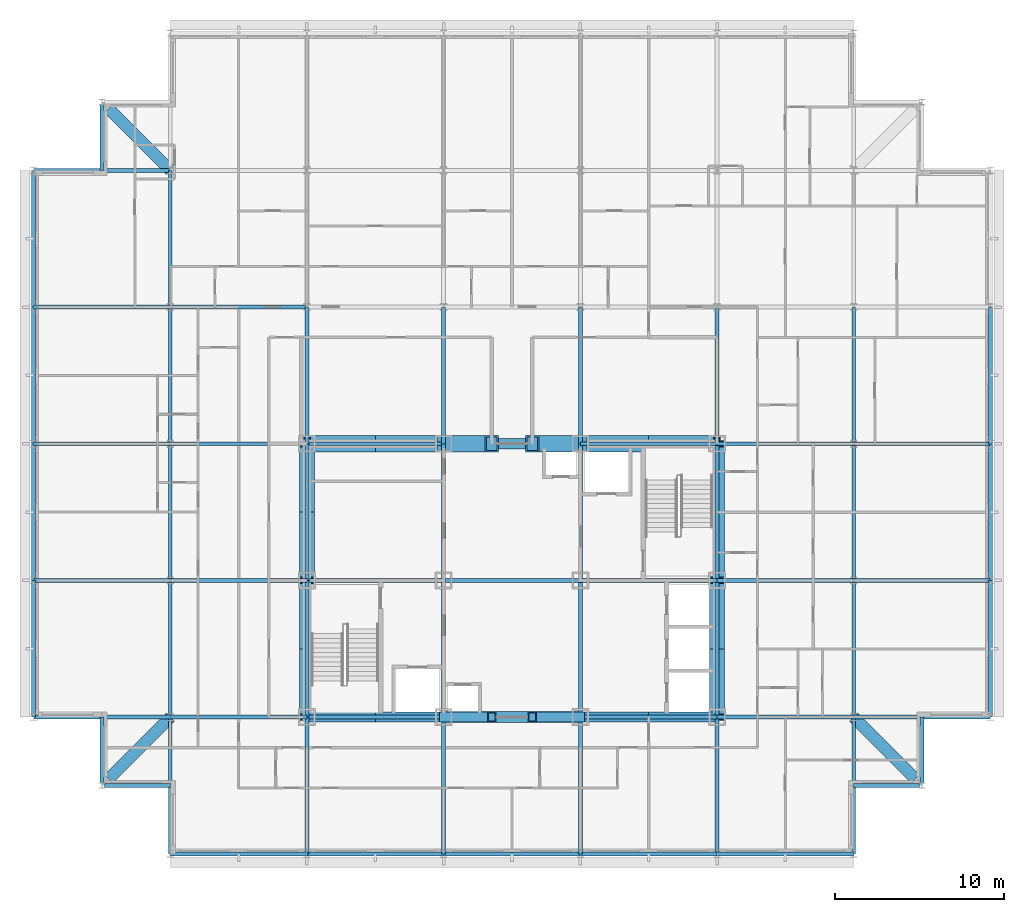
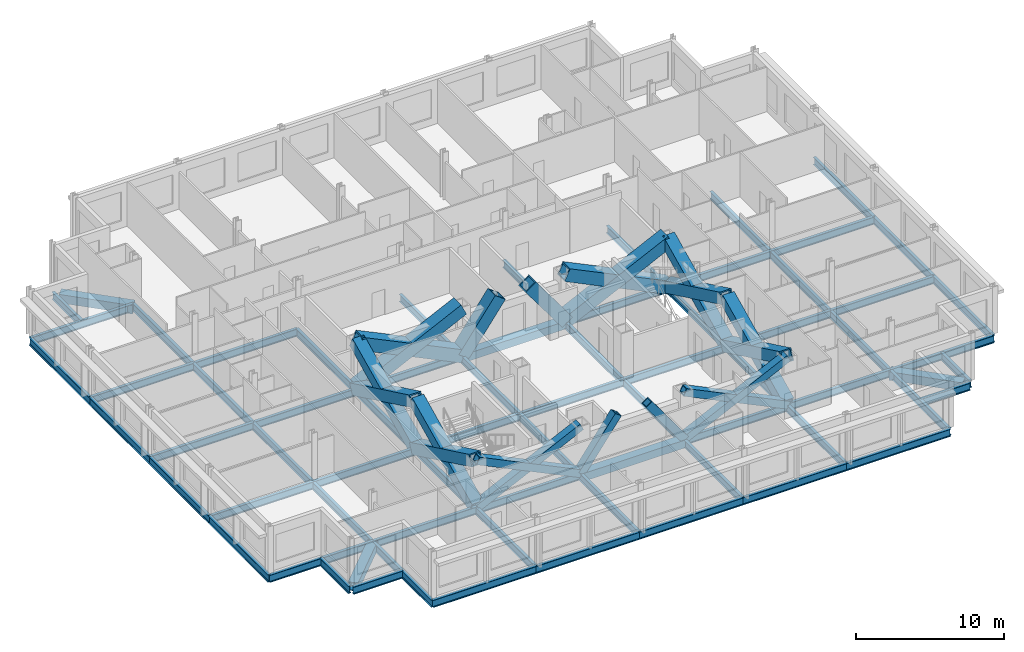
# One storey, part 5 of 15: 69 beams, 20 members.
"""IFC4 building model written with IfcOpenShell, lengths in metres."""

from ifc_helpers import new_model, si_unit, direction, frame, origin, origin_2d, place, context, subcontext, project, spatial, hollow_rectangle, i_section, extrude, material, material_profile, profile_set, type_object, element, save


model = new_model("IFC4")

# Units and contexts
model_context = context("Model", 3, precision=1e-05, world=origin(), true_north=direction((0.0, 1.0)))
body_context = subcontext(model_context, "Body", "Model", "MODEL_VIEW")
ifc_project = project(units=[si_unit("LENGTHUNIT", "METRE"), si_unit("AREAUNIT", "SQUARE_METRE"), si_unit("VOLUMEUNIT", "CUBIC_METRE"), si_unit("PLANEANGLEUNIT", "RADIAN"), si_unit("MASSUNIT", "GRAM", prefix="KILO")], contexts=[model_context])

# Site, building, storey
site_placement = place(None, origin())
site = spatial("IfcSite", under=ifc_project, at=site_placement, CompositionType="ELEMENT")
building_placement = place(site_placement, origin())
building = spatial("IfcBuilding", under=site, at=building_placement, Name="Kopane Lantern Tower", CompositionType="ELEMENT")
storey_placement = place(building_placement, frame((0.0, 0.0, 289.199951171875)))
storey = spatial("IfcBuildingStorey", under=building, at=storey_placement, Name="L74", CompositionType="ELEMENT", Elevation=289.199951171875)

# Members
ifc_material_1 = material(Name="Steel S355JR", Category="steel")
ifc_material_profile_1 = material_profile(ifc_material_1, hollow_rectangle(XDim=1.0, YDim=1.0, WallThickness=0.10009765625, at=origin_2d()), Name="BOX 1000x1000x100")
ifc_profile_set_1 = profile_set([ifc_material_profile_1], Name="Steel S355JR")
member_type_1 = type_object("IfcMemberType", Name="BRACE BOX 1000x1000x100", PredefinedType="BRACE", material=ifc_profile_set_1)
for number, where, z_axis, x_axis, name in (
    (1, (16.199951171875, 40.5, -0.2099609375), (0.901007959878, 0.0, 0.433802554437), (0.0, 1.0, 0.0), "Core brace L74"),
    (2, (24.300048828125, 40.5, -0.2099609375), (-0.901007959878, 0.0, 0.433802554437), (0.0, -1.0, 0.0), "Core brace L74"),
):
    element("IfcMember", number, at=place(storey_placement, frame(where, z_axis=z_axis, x_axis=x_axis)), inside=storey, type_object=member_type_1, Name=name, PredefinedType="BRACE", context=body_context, shape_type="SweptSolid", body=[
        extrude(hollow_rectangle(XDim=1.0, YDim=1.0, WallThickness=0.10009765625, at=origin_2d()), origin(), (0.0, 0.0, 1.0), 8.989990234375),
    ])
for number, where, z_axis, x_axis, name in (
    (3, (24.300048828125, 40.5, -0.2099609375), (0.590006451143, 0.0, 0.807398530845), (0.0, 1.0, 0.0), "Core brace L74"),
    (4, (32.39990234375, 40.5, -0.2099609375), (-0.590006451143, 0.0, 0.807398530845), (0.0, -1.0, 0.0), "Core brace L74"),
):
    element("IfcMember", number, at=place(storey_placement, frame(where, z_axis=z_axis, x_axis=x_axis)), inside=storey, type_object=member_type_1, Name=name, PredefinedType="BRACE", context=body_context, shape_type="SweptSolid", body=[
        extrude(hollow_rectangle(XDim=1.0, YDim=1.0, WallThickness=0.10009765625, at=origin_2d()), origin(), (0.0, 0.0, 1.0), 4.830322265625),
    ])
for number, where, z_axis, x_axis, name in (
    (5, (32.39990234375, 40.5, -0.2099609375), (0.901007959878, 0.0, 0.433802554437), (0.0, 1.0, 0.0), "Core brace L74"),
    (6, (40.5, 40.5, -0.2099609375), (-0.901007959878, 0.0, 0.433802554437), (0.0, -1.0, 0.0), "Core brace L74"),
):
    element("IfcMember", number, at=place(storey_placement, frame(where, z_axis=z_axis, x_axis=x_axis)), inside=storey, type_object=member_type_1, Name=name, PredefinedType="BRACE", context=body_context, shape_type="SweptSolid", body=[
        extrude(hollow_rectangle(XDim=1.0, YDim=1.0, WallThickness=0.10009765625, at=origin_2d()), origin(), (0.0, 0.0, 1.0), 8.989990234375),
    ])
ifc_material_2 = material(Name="Steel S355JR", Category="steel")
ifc_material_profile_2 = material_profile(ifc_material_2, hollow_rectangle(XDim=0.60009765625, YDim=0.60009765625, WallThickness=0.06005859375, at=origin_2d()), Name="BOX 600x600x60")
ifc_profile_set_2 = profile_set([ifc_material_profile_2], Name="Steel S355JR")
member_type_2 = type_object("IfcMemberType", Name="BRACE BOX 600x600x60", PredefinedType="BRACE", material=ifc_profile_set_2)
for number, where, z_axis, x_axis, name in (
    (7, (16.199951171875, 24.300048828125, -0.2099609375), (0.901007959878, 0.0, 0.433802554437), (0.0, 1.0, 0.0), "Core brace L74"),
    (8, (24.300048828125, 24.300048828125, -0.2099609375), (-0.901007959878, 0.0, 0.433802554437), (0.0, -1.0, 0.0), "Core brace L74"),
):
    element("IfcMember", number, at=place(storey_placement, frame(where, z_axis=z_axis, x_axis=x_axis)), inside=storey, type_object=member_type_2, Name=name, PredefinedType="BRACE", context=body_context, shape_type="SweptSolid", body=[
        extrude(hollow_rectangle(XDim=0.60009765625, YDim=0.60009765625, WallThickness=0.06005859375, at=origin_2d()), origin(), (0.0, 0.0, 1.0), 8.989990234375),
    ])
for number, where, z_axis, x_axis, name in (
    (9, (24.300048828125, 24.300048828125, -0.2099609375), (0.590006451143, 0.0, 0.807398530845), (0.0, 1.0, 0.0), "Core brace L74"),
    (10, (32.39990234375, 24.300048828125, -0.2099609375), (-0.590006451143, 0.0, 0.807398530845), (0.0, -1.0, 0.0), "Core brace L74"),
):
    element("IfcMember", number, at=place(storey_placement, frame(where, z_axis=z_axis, x_axis=x_axis)), inside=storey, type_object=member_type_2, Name=name, PredefinedType="BRACE", context=body_context, shape_type="SweptSolid", body=[
        extrude(hollow_rectangle(XDim=0.60009765625, YDim=0.60009765625, WallThickness=0.06005859375, at=origin_2d()), origin(), (0.0, 0.0, 1.0), 4.830322265625),
    ])
for number, where, z_axis, x_axis, name in (
    (11, (32.39990234375, 24.300048828125, -0.2099609375), (0.901007959878, 0.0, 0.433802554437), (0.0, 1.0, 0.0), "Core brace L74"),
    (12, (40.5, 24.300048828125, -0.2099609375), (-0.901007959878, 0.0, 0.433802554437), (0.0, -1.0, 0.0), "Core brace L74"),
):
    element("IfcMember", number, at=place(storey_placement, frame(where, z_axis=z_axis, x_axis=x_axis)), inside=storey, type_object=member_type_2, Name=name, PredefinedType="BRACE", context=body_context, shape_type="SweptSolid", body=[
        extrude(hollow_rectangle(XDim=0.60009765625, YDim=0.60009765625, WallThickness=0.06005859375, at=origin_2d()), origin(), (0.0, 0.0, 1.0), 8.989990234375),
    ])
ifc_material_3 = material(Name="Steel S355JR", Category="steel")
ifc_material_profile_3 = material_profile(ifc_material_3, hollow_rectangle(XDim=0.89990234375, YDim=0.89990234375, WallThickness=0.090087890625, at=origin_2d()), Name="BOX 900x900x90")
ifc_profile_set_3 = profile_set([ifc_material_profile_3], Name="Steel S355JR")
member_type_3 = type_object("IfcMemberType", Name="BRACE BOX 900x900x90", PredefinedType="BRACE", material=ifc_profile_set_3)
for number, where, z_axis, x_axis, name in (
    (13, (16.199951171875, 24.300048828125, -0.2099609375), (0.0, 0.9010028492, 0.433813169157), (-1.0, 0.0, 0.0), "Core brace L74"),
    (14, (16.199951171875, 32.39990234375, -0.2099609375), (0.0, -0.9010028492, 0.433813169157), (1.0, 0.0, 0.0), "Core brace L74"),
):
    element("IfcMember", number, at=place(storey_placement, frame(where, z_axis=z_axis, x_axis=x_axis)), inside=storey, type_object=member_type_3, Name=name, PredefinedType="BRACE", context=body_context, shape_type="SweptSolid", body=[
        extrude(hollow_rectangle(XDim=0.89990234375, YDim=0.89990234375, WallThickness=0.090087890625, at=origin_2d()), origin(), (0.0, 0.0, 1.0), 8.98974609375),
    ])
for number, where, z_axis, x_axis, name in (
    (15, (16.199951171875, 32.39990234375, -0.2099609375), (0.0, 0.901007959878, 0.433802554437), (-1.0, 0.0, 0.0), "Core brace L74"),
    (16, (16.199951171875, 40.5, -0.2099609375), (0.0, -0.901007959878, 0.433802554437), (1.0, 0.0, 0.0), "Core brace L74"),
):
    element("IfcMember", number, at=place(storey_placement, frame(where, z_axis=z_axis, x_axis=x_axis)), inside=storey, type_object=member_type_3, Name=name, PredefinedType="BRACE", context=body_context, shape_type="SweptSolid", body=[
        extrude(hollow_rectangle(XDim=0.89990234375, YDim=0.89990234375, WallThickness=0.090087890625, at=origin_2d()), origin(), (0.0, 0.0, 1.0), 8.989990234375),
    ])
for number, where, z_axis, x_axis, name in (
    (17, (40.5, 24.300048828125, -0.2099609375), (0.0, 0.9010028492, 0.433813169157), (-1.0, 0.0, 0.0), "Core brace L74"),
    (18, (40.5, 32.39990234375, -0.2099609375), (0.0, -0.9010028492, 0.433813169157), (1.0, 0.0, 0.0), "Core brace L74"),
):
    element("IfcMember", number, at=place(storey_placement, frame(where, z_axis=z_axis, x_axis=x_axis)), inside=storey, type_object=member_type_3, Name=name, PredefinedType="BRACE", context=body_context, shape_type="SweptSolid", body=[
        extrude(hollow_rectangle(XDim=0.89990234375, YDim=0.89990234375, WallThickness=0.090087890625, at=origin_2d()), origin(), (0.0, 0.0, 1.0), 8.98974609375),
    ])
for number, where, z_axis, x_axis, name in (
    (19, (40.5, 32.39990234375, -0.2099609375), (0.0, 0.901007959878, 0.433802554437), (-1.0, 0.0, 0.0), "Core brace L74"),
    (20, (40.5, 40.5, -0.2099609375), (0.0, -0.901007959878, 0.433802554437), (1.0, 0.0, 0.0), "Core brace L74"),
):
    element("IfcMember", number, at=place(storey_placement, frame(where, z_axis=z_axis, x_axis=x_axis)), inside=storey, type_object=member_type_3, Name=name, PredefinedType="BRACE", context=body_context, shape_type="SweptSolid", body=[
        extrude(hollow_rectangle(XDim=0.89990234375, YDim=0.89990234375, WallThickness=0.090087890625, at=origin_2d()), origin(), (0.0, 0.0, 1.0), 8.989990234375),
    ])

# Beams
ifc_material_4 = material(Name="Steel S355JR", Category="steel")
ifc_material_profile_4 = material_profile(ifc_material_4, i_section(OverallWidth=0.22900390625, OverallDepth=0.6123046875, WebThickness=0.011962890625, FlangeThickness=0.01953125, FilletRadius=0.0126953125, at=origin_2d()), Name="UB 610x229x125")
ifc_profile_set_4 = profile_set([ifc_material_profile_4], Name="Steel S355JR")
beam_type_1 = type_object("IfcBeamType", Name="CORE BEAM UB 610x229x125", PredefinedType="BEAM", material=ifc_profile_set_4)
beam_1_placement = place(storey_placement, frame((16.199951171875, 32.39990234375, -0.51611328125), z_axis=(1.0, 0.0, 0.0), x_axis=(0.0, 1.0, 0.0)))
element("IfcBeam", 21, at=beam_1_placement, inside=storey, type_object=beam_type_1, Name="Core Beam L74", PredefinedType="BEAM", context=body_context, shape_type="SweptSolid", body=[
    extrude(i_section(OverallWidth=0.22900390625, OverallDepth=0.6123046875, WebThickness=0.011962890625, FlangeThickness=0.01953125, FilletRadius=0.0126953125, at=origin_2d()), origin(), (0.0, 0.0, 1.0), 8.10009765625),
])
beam_2_placement = place(storey_placement, frame((24.300048828125, 24.300048828125, -0.51611328125), z_axis=(0.0, 1.0, 0.0), x_axis=(-1.0, 0.0, 0.0)))
element("IfcBeam", 22, at=beam_2_placement, inside=storey, type_object=beam_type_1, Name="Core Beam L74", PredefinedType="BEAM", context=body_context, shape_type="SweptSolid", body=[
    extrude(i_section(OverallWidth=0.22900390625, OverallDepth=0.6123046875, WebThickness=0.011962890625, FlangeThickness=0.01953125, FilletRadius=0.0126953125, at=origin_2d()), origin(), (0.0, 0.0, 1.0), 8.099853515625),
])
beam_3_placement = place(storey_placement, frame((24.300048828125, 32.39990234375, -0.51611328125), z_axis=(0.0, 1.0, 0.0), x_axis=(-1.0, 0.0, 0.0)))
element("IfcBeam", 23, at=beam_3_placement, inside=storey, type_object=beam_type_1, Name="Core Beam L74", PredefinedType="BEAM", context=body_context, shape_type="SweptSolid", body=[
    extrude(i_section(OverallWidth=0.22900390625, OverallDepth=0.6123046875, WebThickness=0.011962890625, FlangeThickness=0.01953125, FilletRadius=0.0126953125, at=origin_2d()), origin(), (0.0, 0.0, 1.0), 8.10009765625),
])
for number, where, z_axis, x_axis, name in (
    (24, (24.300048828125, 32.39990234375, -0.51611328125), (1.0, 0.0, 0.0), (0.0, 1.0, 0.0), "Core Beam L74"),
    (25, (32.39990234375, 24.300048828125, -0.51611328125), (0.0, 1.0, 0.0), (-1.0, 0.0, 0.0), "Core Beam L74"),
):
    element("IfcBeam", number, at=place(storey_placement, frame(where, z_axis=z_axis, x_axis=x_axis)), inside=storey, type_object=beam_type_1, Name=name, PredefinedType="BEAM", context=body_context, shape_type="SweptSolid", body=[
        extrude(i_section(OverallWidth=0.22900390625, OverallDepth=0.6123046875, WebThickness=0.011962890625, FlangeThickness=0.01953125, FilletRadius=0.0126953125, at=origin_2d()), origin(), (0.0, 0.0, 1.0), 8.099853515625),
    ])
for number, where, z_axis, x_axis, name in (
    (26, (32.39990234375, 32.39990234375, -0.51611328125), (0.0, 1.0, 0.0), (-1.0, 0.0, 0.0), "Core Beam L74"),
    (27, (32.39990234375, 32.39990234375, -0.51611328125), (1.0, 0.0, 0.0), (0.0, 1.0, 0.0), "Core Beam L74"),
):
    element("IfcBeam", number, at=place(storey_placement, frame(where, z_axis=z_axis, x_axis=x_axis)), inside=storey, type_object=beam_type_1, Name=name, PredefinedType="BEAM", context=body_context, shape_type="SweptSolid", body=[
        extrude(i_section(OverallWidth=0.22900390625, OverallDepth=0.6123046875, WebThickness=0.011962890625, FlangeThickness=0.01953125, FilletRadius=0.0126953125, at=origin_2d()), origin(), (0.0, 0.0, 1.0), 8.10009765625),
    ])
ifc_material_5 = material(Name="Steel S355JR", Category="steel")
ifc_material_profile_5 = material_profile(ifc_material_5, hollow_rectangle(XDim=0.699951171875, YDim=0.699951171875, WallThickness=0.06005859375, at=origin_2d()), Name="BOX 700x700x60")
ifc_profile_set_5 = profile_set([ifc_material_profile_5], Name="Steel S355JR")
beam_type_2 = type_object("IfcBeamType", Name="CORNER TIE BEAM BOX 700x700x60", PredefinedType="BEAM", material=ifc_profile_set_5)
for number, where, z_axis, x_axis, name in (
    (28, (4.447509765625, 20.6474609375, -0.56005859375), (0.707106781187, 0.707106781187, 0.0), (-0.707106781187, 0.707106781187, 0.0), "Corner Tie Beam L74"),
    (29, (4.447509765625, 60.3525390625, -0.56005859375), (0.707106781187, -0.707106781187, 0.0), (0.707106781187, 0.707106781187, 0.0), "Corner Tie Beam L74"),
):
    element("IfcBeam", number, at=place(storey_placement, frame(where, z_axis=z_axis, x_axis=x_axis)), inside=storey, type_object=beam_type_2, Name=name, PredefinedType="BEAM", context=body_context, shape_type="SweptSolid", body=[
        extrude(hollow_rectangle(XDim=0.699951171875, YDim=0.699951171875, WallThickness=0.06005859375, at=origin_2d()), origin(), (0.0, 0.0, 1.0), 5.16552734375),
    ])
beam_4_placement = place(storey_placement, frame((52.25244140625, 20.6474609375, -0.56005859375), z_axis=(-0.707083148333, 0.70713041325, 0.0), x_axis=(-0.70713041325, -0.707083148333, 0.0)))
element("IfcBeam", 30, at=beam_4_placement, inside=storey, type_object=beam_type_2, Name="Corner Tie Beam L74", PredefinedType="BEAM", context=body_context, shape_type="SweptSolid", body=[
    extrude(hollow_rectangle(XDim=0.699951171875, YDim=0.699951171875, WallThickness=0.06005859375, at=origin_2d()), origin(), (0.0, 0.0, 1.0), 5.165283203125),
])
ifc_material_6 = material(Name="Steel S355JR", Category="steel")
ifc_material_profile_6 = material_profile(ifc_material_6, i_section(OverallWidth=0.22900390625, OverallDepth=0.6123046875, WebThickness=0.011962890625, FlangeThickness=0.01953125, FilletRadius=0.0126953125, at=origin_2d()), Name="UB 610x229x125")
ifc_profile_set_6 = profile_set([ifc_material_profile_6], Name="Steel S355JR")
beam_type_3 = type_object("IfcBeamType", Name="EDGE BEAM UB 610x229x125", PredefinedType="BEAM", material=ifc_profile_set_6)
beam_5_placement = place(storey_placement, frame((4.050048828125, 20.40380859375, -0.51611328125), z_axis=(0.0, 1.0, 0.0), x_axis=(-1.0, 0.0, 0.0)))
element("IfcBeam", 31, at=beam_5_placement, inside=storey, type_object=beam_type_3, Name="Edge Beam L74", PredefinedType="BEAM", context=body_context, shape_type="SweptSolid", body=[
    extrude(i_section(OverallWidth=0.22900390625, OverallDepth=0.6123046875, WebThickness=0.011962890625, FlangeThickness=0.01953125, FilletRadius=0.0126953125, at=origin_2d()), origin(), (0.0, 0.0, 1.0), 3.896240234375),
])
beam_6_placement = place(storey_placement, frame((4.20361328125, 20.25, -0.51611328125), z_axis=(1.0, 0.0, 0.0), x_axis=(0.0, 1.0, 0.0)))
element("IfcBeam", 32, at=beam_6_placement, inside=storey, type_object=beam_type_3, Name="Edge Beam L74", PredefinedType="BEAM", context=body_context, shape_type="SweptSolid", body=[
    extrude(i_section(OverallWidth=0.22900390625, OverallDepth=0.6123046875, WebThickness=0.011962890625, FlangeThickness=0.01953125, FilletRadius=0.0126953125, at=origin_2d()), origin(), (0.0, 0.0, 1.0), 3.896484375),
])
for number, where, z_axis, x_axis, name in (
    (33, (4.050048828125, 60.59619140625, -0.51611328125), (0.0, -1.0, 0.0), (1.0, 0.0, 0.0), "Edge Beam L74"),
    (34, (52.496337890625, 20.25, -0.51611328125), (-1.0, 0.0, 0.0), (0.0, -1.0, 0.0), "Edge Beam L74"),
    (35, (52.64990234375, 20.40380859375, -0.51611328125), (0.0, 1.0, 0.0), (-1.0, 0.0, 0.0), "Edge Beam L74"),
):
    element("IfcBeam", number, at=place(storey_placement, frame(where, z_axis=z_axis, x_axis=x_axis)), inside=storey, type_object=beam_type_3, Name=name, PredefinedType="BEAM", context=body_context, shape_type="SweptSolid", body=[
        extrude(i_section(OverallWidth=0.22900390625, OverallDepth=0.6123046875, WebThickness=0.011962890625, FlangeThickness=0.01953125, FilletRadius=0.0126953125, at=origin_2d()), origin(), (0.0, 0.0, 1.0), 3.896240234375),
    ])
ifc_material_7 = material(Name="Steel S355JR", Category="steel")
ifc_material_profile_7 = material_profile(ifc_material_7, i_section(OverallWidth=0.22900390625, OverallDepth=0.6123046875, WebThickness=0.011962890625, FlangeThickness=0.01953125, FilletRadius=0.0126953125, at=origin_2d()), Name="UB 610x229x125")
ifc_profile_set_7 = profile_set([ifc_material_profile_7], Name="Steel S355JR")
beam_type_4 = type_object("IfcBeamType", Name="GIRDER UB 610x229x125", PredefinedType="BEAM", material=ifc_profile_set_7)
beam_7_placement = place(storey_placement, frame((0.0, 24.300048828125, -0.51611328125), z_axis=(0.0, 1.0, 0.0), x_axis=(-1.0, 0.0, 0.0)))
element("IfcBeam", 36, at=beam_7_placement, inside=storey, type_object=beam_type_4, Name="Girder L74", PredefinedType="BEAM", context=body_context, shape_type="SweptSolid", body=[
    extrude(i_section(OverallWidth=0.22900390625, OverallDepth=0.6123046875, WebThickness=0.011962890625, FlangeThickness=0.01953125, FilletRadius=0.0126953125, at=origin_2d()), origin(), (0.0, 0.0, 1.0), 8.099853515625),
])
for number, where, z_axis, x_axis, name in (
    (37, (0.0, 24.300048828125, -0.51611328125), (1.0, 0.0, 0.0), (0.0, 1.0, 0.0), "Girder L74"),
    (38, (0.0, 32.39990234375, -0.51611328125), (0.0, 1.0, 0.0), (-1.0, 0.0, 0.0), "Girder L74"),
    (39, (0.0, 32.39990234375, -0.51611328125), (1.0, 0.0, 0.0), (0.0, 1.0, 0.0), "Girder L74"),
    (40, (0.0, 40.5, -0.51611328125), (0.0, 1.0, 0.0), (-1.0, 0.0, 0.0), "Girder L74"),
    (41, (0.0, 40.5, -0.51611328125), (1.0, 0.0, 0.0), (0.0, 1.0, 0.0), "Girder L74"),
):
    element("IfcBeam", number, at=place(storey_placement, frame(where, z_axis=z_axis, x_axis=x_axis)), inside=storey, type_object=beam_type_4, Name=name, PredefinedType="BEAM", context=body_context, shape_type="SweptSolid", body=[
        extrude(i_section(OverallWidth=0.22900390625, OverallDepth=0.6123046875, WebThickness=0.011962890625, FlangeThickness=0.01953125, FilletRadius=0.0126953125, at=origin_2d()), origin(), (0.0, 0.0, 1.0), 8.10009765625),
    ])
beam_8_placement = place(storey_placement, frame((0.0, 48.60009765625, -0.51611328125), z_axis=(0.0, 1.0, 0.0), x_axis=(-1.0, 0.0, 0.0)))
element("IfcBeam", 42, at=beam_8_placement, inside=storey, type_object=beam_type_4, Name="Girder L74", PredefinedType="BEAM", context=body_context, shape_type="SweptSolid", body=[
    extrude(i_section(OverallWidth=0.22900390625, OverallDepth=0.6123046875, WebThickness=0.011962890625, FlangeThickness=0.01953125, FilletRadius=0.0126953125, at=origin_2d()), origin(), (0.0, 0.0, 1.0), 8.099853515625),
])
for number, where, z_axis, x_axis, name in (
    (43, (0.0, 48.60009765625, -0.51611328125), (1.0, 0.0, 0.0), (0.0, 1.0, 0.0), "Girder L74"),
    (44, (0.0, 56.699951171875, -0.51611328125), (1.0, 0.0, 0.0), (0.0, 1.0, 0.0), "Girder L74"),
    (45, (8.10009765625, 16.199951171875, -0.51611328125), (0.0, 1.0, 0.0), (-1.0, 0.0, 0.0), "Girder L74"),
):
    element("IfcBeam", number, at=place(storey_placement, frame(where, z_axis=z_axis, x_axis=x_axis)), inside=storey, type_object=beam_type_4, Name=name, PredefinedType="BEAM", context=body_context, shape_type="SweptSolid", body=[
        extrude(i_section(OverallWidth=0.22900390625, OverallDepth=0.6123046875, WebThickness=0.011962890625, FlangeThickness=0.01953125, FilletRadius=0.0126953125, at=origin_2d()), origin(), (0.0, 0.0, 1.0), 8.10009765625),
    ])
for number, where, z_axis, x_axis, name in (
    (46, (8.10009765625, 16.199951171875, -0.51611328125), (1.0, 0.0, 0.0), (0.0, 1.0, 0.0), "Girder L74"),
    (47, (8.10009765625, 24.300048828125, -0.51611328125), (0.0, 1.0, 0.0), (-1.0, 0.0, 0.0), "Girder L74"),
    (48, (8.10009765625, 24.300048828125, -0.51611328125), (1.0, 0.0, 0.0), (0.0, 1.0, 0.0), "Girder L74"),
):
    element("IfcBeam", number, at=place(storey_placement, frame(where, z_axis=z_axis, x_axis=x_axis)), inside=storey, type_object=beam_type_4, Name=name, PredefinedType="BEAM", context=body_context, shape_type="SweptSolid", body=[
        extrude(i_section(OverallWidth=0.22900390625, OverallDepth=0.6123046875, WebThickness=0.011962890625, FlangeThickness=0.01953125, FilletRadius=0.0126953125, at=origin_2d()), origin(), (0.0, 0.0, 1.0), 8.099853515625),
    ])
beam_9_placement = place(storey_placement, frame((8.10009765625, 32.39990234375, -0.51611328125), z_axis=(0.0, 1.0, 0.0), x_axis=(-1.0, 0.0, 0.0)))
element("IfcBeam", 49, at=beam_9_placement, inside=storey, type_object=beam_type_4, Name="Girder L74", PredefinedType="BEAM", context=body_context, shape_type="SweptSolid", body=[
    extrude(i_section(OverallWidth=0.22900390625, OverallDepth=0.6123046875, WebThickness=0.011962890625, FlangeThickness=0.01953125, FilletRadius=0.0126953125, at=origin_2d()), origin(), (0.0, 0.0, 1.0), 8.10009765625),
])
beam_10_placement = place(storey_placement, frame((8.10009765625, 32.39990234375, -0.51611328125), z_axis=(1.0, 0.0, 0.0), x_axis=(0.0, 1.0, 0.0)))
element("IfcBeam", 50, at=beam_10_placement, inside=storey, type_object=beam_type_4, Name="Girder L74", PredefinedType="BEAM", context=body_context, shape_type="SweptSolid", body=[
    extrude(i_section(OverallWidth=0.22900390625, OverallDepth=0.6123046875, WebThickness=0.011962890625, FlangeThickness=0.01953125, FilletRadius=0.0126953125, at=origin_2d()), origin(), (0.0, 0.0, 1.0), 8.099853515625),
])
beam_11_placement = place(storey_placement, frame((8.10009765625, 40.5, -0.51611328125), z_axis=(0.0, 1.0, 0.0), x_axis=(-1.0, 0.0, 0.0)))
element("IfcBeam", 51, at=beam_11_placement, inside=storey, type_object=beam_type_4, Name="Girder L74", PredefinedType="BEAM", context=body_context, shape_type="SweptSolid", body=[
    extrude(i_section(OverallWidth=0.22900390625, OverallDepth=0.6123046875, WebThickness=0.011962890625, FlangeThickness=0.01953125, FilletRadius=0.0126953125, at=origin_2d()), origin(), (0.0, 0.0, 1.0), 8.10009765625),
])
for number, where, z_axis, x_axis, name in (
    (52, (8.10009765625, 40.5, -0.51611328125), (1.0, 0.0, 0.0), (0.0, 1.0, 0.0), "Girder L74"),
    (53, (8.10009765625, 48.60009765625, -0.51611328125), (0.0, 1.0, 0.0), (-1.0, 0.0, 0.0), "Girder L74"),
    (54, (8.10009765625, 48.60009765625, -0.51611328125), (1.0, 0.0, 0.0), (0.0, 1.0, 0.0), "Girder L74"),
):
    element("IfcBeam", number, at=place(storey_placement, frame(where, z_axis=z_axis, x_axis=x_axis)), inside=storey, type_object=beam_type_4, Name=name, PredefinedType="BEAM", context=body_context, shape_type="SweptSolid", body=[
        extrude(i_section(OverallWidth=0.22900390625, OverallDepth=0.6123046875, WebThickness=0.011962890625, FlangeThickness=0.01953125, FilletRadius=0.0126953125, at=origin_2d()), origin(), (0.0, 0.0, 1.0), 8.099853515625),
    ])
for number, where, z_axis, x_axis, name in (
    (55, (16.199951171875, 16.199951171875, -0.51611328125), (0.0, 1.0, 0.0), (-1.0, 0.0, 0.0), "Girder L74"),
    (56, (16.199951171875, 16.199951171875, -0.51611328125), (1.0, 0.0, 0.0), (0.0, 1.0, 0.0), "Girder L74"),
):
    element("IfcBeam", number, at=place(storey_placement, frame(where, z_axis=z_axis, x_axis=x_axis)), inside=storey, type_object=beam_type_4, Name=name, PredefinedType="BEAM", context=body_context, shape_type="SweptSolid", body=[
        extrude(i_section(OverallWidth=0.22900390625, OverallDepth=0.6123046875, WebThickness=0.011962890625, FlangeThickness=0.01953125, FilletRadius=0.0126953125, at=origin_2d()), origin(), (0.0, 0.0, 1.0), 8.10009765625),
    ])
beam_12_placement = place(storey_placement, frame((16.199951171875, 24.300048828125, -0.51611328125), z_axis=(0.0, 1.0, 0.0), x_axis=(-1.0, 0.0, 0.0)))
element("IfcBeam", 57, at=beam_12_placement, inside=storey, type_object=beam_type_4, Name="Girder L74", PredefinedType="BEAM", context=body_context, shape_type="SweptSolid", body=[
    extrude(i_section(OverallWidth=0.22900390625, OverallDepth=0.6123046875, WebThickness=0.011962890625, FlangeThickness=0.01953125, FilletRadius=0.0126953125, at=origin_2d()), origin(), (0.0, 0.0, 1.0), 8.099853515625),
])
for number, where, z_axis, x_axis, name in (
    (58, (16.199951171875, 24.300048828125, -0.51611328125), (1.0, 0.0, 0.0), (0.0, 1.0, 0.0), "Girder L74"),
    (59, (16.199951171875, 32.39990234375, -0.51611328125), (0.0, 1.0, 0.0), (-1.0, 0.0, 0.0), "Girder L74"),
    (60, (16.199951171875, 40.5, -0.51611328125), (0.0, 1.0, 0.0), (-1.0, 0.0, 0.0), "Girder L74"),
    (61, (16.199951171875, 40.5, -0.51611328125), (1.0, 0.0, 0.0), (0.0, 1.0, 0.0), "Girder L74"),
    (62, (24.300048828125, 16.199951171875, -0.51611328125), (0.0, 1.0, 0.0), (-1.0, 0.0, 0.0), "Girder L74"),
):
    element("IfcBeam", number, at=place(storey_placement, frame(where, z_axis=z_axis, x_axis=x_axis)), inside=storey, type_object=beam_type_4, Name=name, PredefinedType="BEAM", context=body_context, shape_type="SweptSolid", body=[
        extrude(i_section(OverallWidth=0.22900390625, OverallDepth=0.6123046875, WebThickness=0.011962890625, FlangeThickness=0.01953125, FilletRadius=0.0126953125, at=origin_2d()), origin(), (0.0, 0.0, 1.0), 8.10009765625),
    ])
beam_13_placement = place(storey_placement, frame((24.300048828125, 16.199951171875, -0.51611328125), z_axis=(1.0, 0.0, 0.0), x_axis=(0.0, 1.0, 0.0)))
element("IfcBeam", 63, at=beam_13_placement, inside=storey, type_object=beam_type_4, Name="Girder L74", PredefinedType="BEAM", context=body_context, shape_type="SweptSolid", body=[
    extrude(i_section(OverallWidth=0.22900390625, OverallDepth=0.6123046875, WebThickness=0.011962890625, FlangeThickness=0.01953125, FilletRadius=0.0126953125, at=origin_2d()), origin(), (0.0, 0.0, 1.0), 8.099853515625),
])
for number, where, z_axis, x_axis, name in (
    (64, (24.300048828125, 40.5, -0.51611328125), (0.0, 1.0, 0.0), (-1.0, 0.0, 0.0), "Girder L74"),
    (65, (32.39990234375, 16.199951171875, -0.51611328125), (0.0, 1.0, 0.0), (-1.0, 0.0, 0.0), "Girder L74"),
    (66, (32.39990234375, 16.199951171875, -0.51611328125), (1.0, 0.0, 0.0), (0.0, 1.0, 0.0), "Girder L74"),
    (67, (32.39990234375, 24.300048828125, -0.51611328125), (1.0, 0.0, 0.0), (0.0, 1.0, 0.0), "Girder L74"),
    (68, (32.39990234375, 40.5, -0.51611328125), (0.0, 1.0, 0.0), (-1.0, 0.0, 0.0), "Girder L74"),
    (69, (32.39990234375, 40.5, -0.51611328125), (1.0, 0.0, 0.0), (0.0, 1.0, 0.0), "Girder L74"),
    (70, (40.5, 16.199951171875, -0.51611328125), (0.0, 1.0, 0.0), (-1.0, 0.0, 0.0), "Girder L74"),
    (71, (40.5, 16.199951171875, -0.51611328125), (1.0, 0.0, 0.0), (0.0, 1.0, 0.0), "Girder L74"),
):
    element("IfcBeam", number, at=place(storey_placement, frame(where, z_axis=z_axis, x_axis=x_axis)), inside=storey, type_object=beam_type_4, Name=name, PredefinedType="BEAM", context=body_context, shape_type="SweptSolid", body=[
        extrude(i_section(OverallWidth=0.22900390625, OverallDepth=0.6123046875, WebThickness=0.011962890625, FlangeThickness=0.01953125, FilletRadius=0.0126953125, at=origin_2d()), origin(), (0.0, 0.0, 1.0), 8.10009765625),
    ])
beam_14_placement = place(storey_placement, frame((40.5, 24.300048828125, -0.51611328125), z_axis=(0.0, 1.0, 0.0), x_axis=(-1.0, 0.0, 0.0)))
element("IfcBeam", 72, at=beam_14_placement, inside=storey, type_object=beam_type_4, Name="Girder L74", PredefinedType="BEAM", context=body_context, shape_type="SweptSolid", body=[
    extrude(i_section(OverallWidth=0.22900390625, OverallDepth=0.6123046875, WebThickness=0.011962890625, FlangeThickness=0.01953125, FilletRadius=0.0126953125, at=origin_2d()), origin(), (0.0, 0.0, 1.0), 8.099853515625),
])
for number, where, z_axis, x_axis, name in (
    (73, (40.5, 24.300048828125, -0.51611328125), (1.0, 0.0, 0.0), (0.0, 1.0, 0.0), "Girder L74"),
    (74, (40.5, 32.39990234375, -0.51611328125), (0.0, 1.0, 0.0), (-1.0, 0.0, 0.0), "Girder L74"),
    (75, (40.5, 32.39990234375, -0.51611328125), (1.0, 0.0, 0.0), (0.0, 1.0, 0.0), "Girder L74"),
    (76, (40.5, 40.5, -0.51611328125), (0.0, 1.0, 0.0), (-1.0, 0.0, 0.0), "Girder L74"),
    (77, (40.5, 40.5, -0.51611328125), (1.0, 0.0, 0.0), (0.0, 1.0, 0.0), "Girder L74"),
    (78, (48.60009765625, 16.199951171875, -0.51611328125), (0.0, 1.0, 0.0), (-1.0, 0.0, 0.0), "Girder L74"),
):
    element("IfcBeam", number, at=place(storey_placement, frame(where, z_axis=z_axis, x_axis=x_axis)), inside=storey, type_object=beam_type_4, Name=name, PredefinedType="BEAM", context=body_context, shape_type="SweptSolid", body=[
        extrude(i_section(OverallWidth=0.22900390625, OverallDepth=0.6123046875, WebThickness=0.011962890625, FlangeThickness=0.01953125, FilletRadius=0.0126953125, at=origin_2d()), origin(), (0.0, 0.0, 1.0), 8.10009765625),
    ])
for number, where, z_axis, x_axis, name in (
    (79, (48.60009765625, 24.300048828125, -0.51611328125), (0.0, 1.0, 0.0), (-1.0, 0.0, 0.0), "Girder L74"),
    (80, (48.60009765625, 24.300048828125, -0.51611328125), (1.0, 0.0, 0.0), (0.0, 1.0, 0.0), "Girder L74"),
):
    element("IfcBeam", number, at=place(storey_placement, frame(where, z_axis=z_axis, x_axis=x_axis)), inside=storey, type_object=beam_type_4, Name=name, PredefinedType="BEAM", context=body_context, shape_type="SweptSolid", body=[
        extrude(i_section(OverallWidth=0.22900390625, OverallDepth=0.6123046875, WebThickness=0.011962890625, FlangeThickness=0.01953125, FilletRadius=0.0126953125, at=origin_2d()), origin(), (0.0, 0.0, 1.0), 8.099853515625),
    ])
beam_15_placement = place(storey_placement, frame((48.60009765625, 32.39990234375, -0.51611328125), z_axis=(0.0, 1.0, 0.0), x_axis=(-1.0, 0.0, 0.0)))
element("IfcBeam", 81, at=beam_15_placement, inside=storey, type_object=beam_type_4, Name="Girder L74", PredefinedType="BEAM", context=body_context, shape_type="SweptSolid", body=[
    extrude(i_section(OverallWidth=0.22900390625, OverallDepth=0.6123046875, WebThickness=0.011962890625, FlangeThickness=0.01953125, FilletRadius=0.0126953125, at=origin_2d()), origin(), (0.0, 0.0, 1.0), 8.10009765625),
])
beam_16_placement = place(storey_placement, frame((48.60009765625, 32.39990234375, -0.51611328125), z_axis=(1.0, 0.0, 0.0), x_axis=(0.0, 1.0, 0.0)))
element("IfcBeam", 82, at=beam_16_placement, inside=storey, type_object=beam_type_4, Name="Girder L74", PredefinedType="BEAM", context=body_context, shape_type="SweptSolid", body=[
    extrude(i_section(OverallWidth=0.22900390625, OverallDepth=0.6123046875, WebThickness=0.011962890625, FlangeThickness=0.01953125, FilletRadius=0.0126953125, at=origin_2d()), origin(), (0.0, 0.0, 1.0), 8.099853515625),
])
beam_17_placement = place(storey_placement, frame((48.60009765625, 40.5, -0.51611328125), z_axis=(0.0, 1.0, 0.0), x_axis=(-1.0, 0.0, 0.0)))
element("IfcBeam", 83, at=beam_17_placement, inside=storey, type_object=beam_type_4, Name="Girder L74", PredefinedType="BEAM", context=body_context, shape_type="SweptSolid", body=[
    extrude(i_section(OverallWidth=0.22900390625, OverallDepth=0.6123046875, WebThickness=0.011962890625, FlangeThickness=0.01953125, FilletRadius=0.0126953125, at=origin_2d()), origin(), (0.0, 0.0, 1.0), 8.10009765625),
])
for number, where, z_axis, x_axis, name in (
    (84, (48.60009765625, 40.5, -0.51611328125), (1.0, 0.0, 0.0), (0.0, 1.0, 0.0), "Girder L74"),
    (85, (56.699951171875, 24.300048828125, -0.51611328125), (0.0, 1.0, 0.0), (-1.0, 0.0, 0.0), "Girder L74"),
):
    element("IfcBeam", number, at=place(storey_placement, frame(where, z_axis=z_axis, x_axis=x_axis)), inside=storey, type_object=beam_type_4, Name=name, PredefinedType="BEAM", context=body_context, shape_type="SweptSolid", body=[
        extrude(i_section(OverallWidth=0.22900390625, OverallDepth=0.6123046875, WebThickness=0.011962890625, FlangeThickness=0.01953125, FilletRadius=0.0126953125, at=origin_2d()), origin(), (0.0, 0.0, 1.0), 8.099853515625),
    ])
for number, where, z_axis, x_axis, name in (
    (86, (56.699951171875, 32.39990234375, -0.51611328125), (0.0, 1.0, 0.0), (-1.0, 0.0, 0.0), "Girder L74"),
    (87, (56.699951171875, 40.5, -0.51611328125), (0.0, 1.0, 0.0), (-1.0, 0.0, 0.0), "Girder L74"),
):
    element("IfcBeam", number, at=place(storey_placement, frame(where, z_axis=z_axis, x_axis=x_axis)), inside=storey, type_object=beam_type_4, Name=name, PredefinedType="BEAM", context=body_context, shape_type="SweptSolid", body=[
        extrude(i_section(OverallWidth=0.22900390625, OverallDepth=0.6123046875, WebThickness=0.011962890625, FlangeThickness=0.01953125, FilletRadius=0.0126953125, at=origin_2d()), origin(), (0.0, 0.0, 1.0), 8.10009765625),
    ])
ifc_material_8 = material(Name="Steel S355JR", Category="steel")
ifc_material_profile_8 = material_profile(ifc_material_8, hollow_rectangle(XDim=0.64990234375, YDim=0.64990234375, WallThickness=0.070068359375, at=origin_2d()), Name="BOX 650x650x70")
ifc_profile_set_8 = profile_set([ifc_material_profile_8], Name="Steel S355JR")
beam_type_5 = type_object("IfcBeamType", Name="LINK BEAM BOX 650x650x70", PredefinedType="BEAM", material=ifc_profile_set_8)
for number, where, z_axis, x_axis, name in (
    (88, (24.300048828125, 24.300048828125, -0.534912109375), (1.0, 0.0, 0.0), (0.0, 1.0, 0.0), "Link Beam L74"),
    (89, (24.300048828125, 40.5, -0.534912109375), (1.0, 0.0, 0.0), (0.0, 1.0, 0.0), "Link Beam L74"),
):
    element("IfcBeam", number, at=place(storey_placement, frame(where, z_axis=z_axis, x_axis=x_axis)), inside=storey, type_object=beam_type_5, Name=name, PredefinedType="BEAM", context=body_context, shape_type="SweptSolid", body=[
        extrude(hollow_rectangle(XDim=0.64990234375, YDim=0.64990234375, WallThickness=0.070068359375, at=origin_2d()), origin(), (0.0, 0.0, 1.0), 8.099853515625),
    ])

save(model, "model.ifc")
